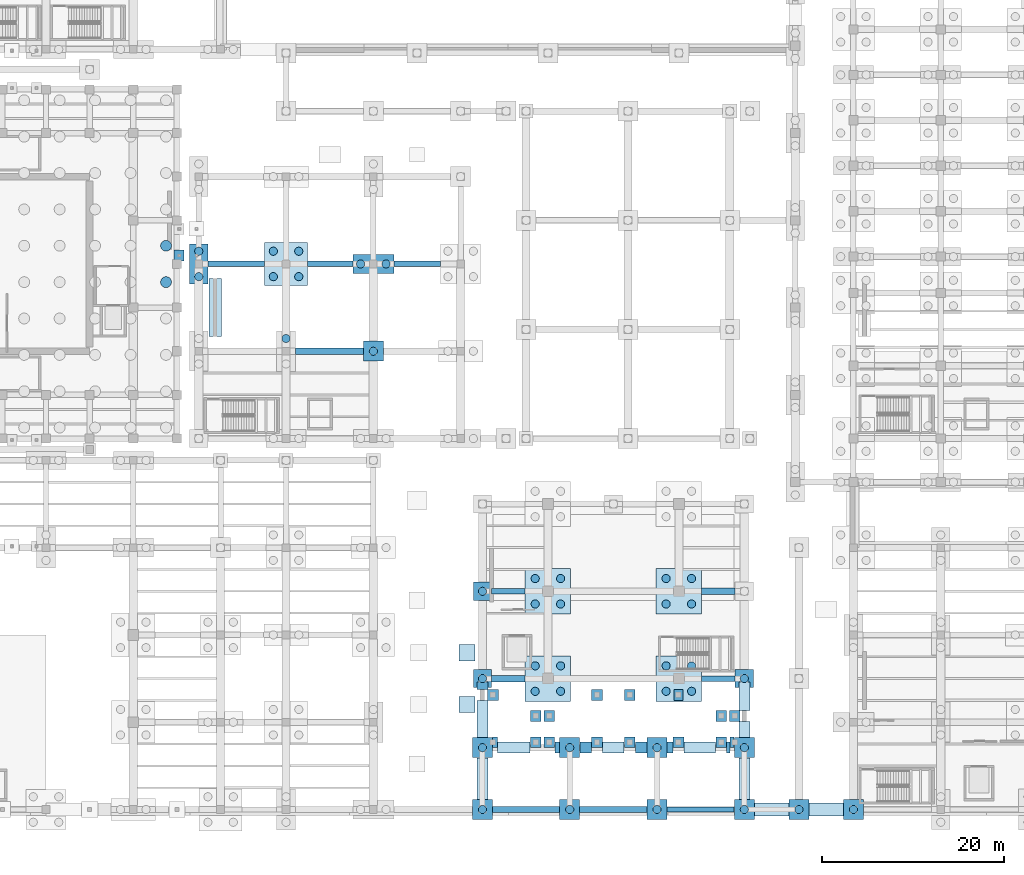
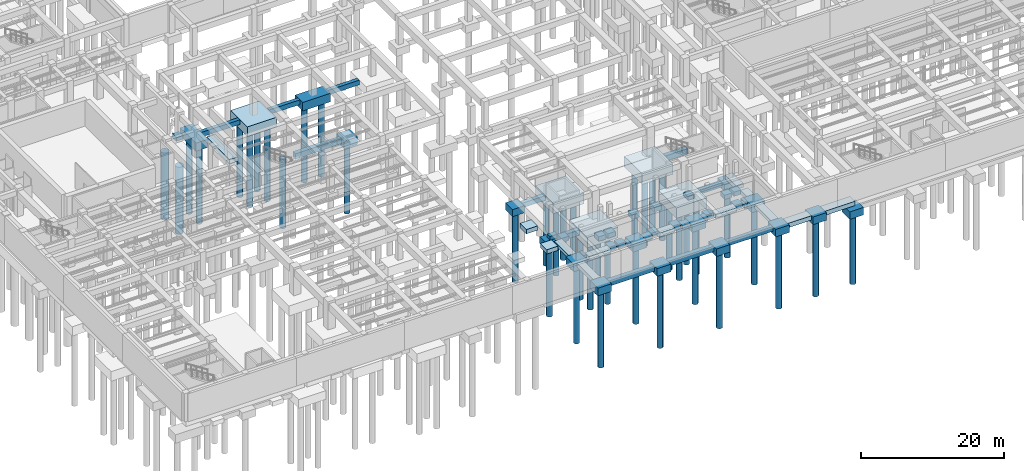
# One storey, part 3 of 56: 68 footings, 41 piles.
"""IFC4 building model written with IfcOpenShell, lengths in metres."""

from ifc_helpers import new_model, si_unit, direction, frame, origin, origin_2d, place, context, subcontext, project, spatial, rectangle, circle, extrude, material, material_profile, profile_set, type_object, element, save


model = new_model("IFC4")

# Units and contexts
model_context = context("Model", 3, precision=1e-05, world=origin(), true_north=direction((0.0, 1.0)))
body_context = subcontext(model_context, "Body", "Model", "MODEL_VIEW")
ifc_project = project(units=[si_unit("LENGTHUNIT", "METRE"), si_unit("AREAUNIT", "SQUARE_METRE"), si_unit("VOLUMEUNIT", "CUBIC_METRE"), si_unit("PLANEANGLEUNIT", "RADIAN"), si_unit("MASSUNIT", "GRAM", prefix="KILO")], contexts=[model_context])

# Site, building, storey
site_placement = place(None, origin())
site = spatial("IfcSite", under=ifc_project, at=site_placement, CompositionType="ELEMENT")
building_placement = place(site_placement, origin())
building = spatial("IfcBuilding", under=site, at=building_placement, Name="Mavantir Sound Aquarium", CompositionType="ELEMENT")
storey_placement = place(building_placement, frame((0.0, 0.0, -9.60009765625)))
storey = spatial("IfcBuildingStorey", under=building, at=storey_placement, Name="B2", CompositionType="ELEMENT", Elevation=-9.60009765625)

# Footings
ifc_material = material(Name="Concrete C40/50", Category="concrete")
ifc_material_profile_1 = material_profile(ifc_material, rectangle(XDim=0.60009765625, YDim=0.800048828125, at=origin_2d()), Name="RC 600X800")
ifc_profile_set_1 = profile_set([ifc_material_profile_1], Name="Concrete C40/50")
footing_type_1 = type_object("IfcFootingType", Name="FB-01", PredefinedType="FOOTING_BEAM", material=ifc_profile_set_1)
footing_1_placement = place(storey_placement, frame((37.008056640625, 60.0, -0.39990234375), z_axis=(1.0, 0.0, 0.0), x_axis=(0.0, 1.0, 0.0)))
element("IfcFooting", 1, at=footing_1_placement, inside=storey, type_object=footing_type_1, Name="Foundation tie beam FB-01 35", PredefinedType="FOOTING_BEAM", context=body_context, shape_type="SweptSolid", body=[
    extrude(rectangle(XDim=0.60009765625, YDim=0.800048828125, at=origin_2d()), origin(), (0.0, 0.0, 1.0), 6.23388671875),
])
footing_2_placement = place(storey_placement, frame((47.9580078125, 60.0, -0.39990234375), z_axis=(1.0, 0.0, 0.0), x_axis=(0.0, 1.0, 0.0)))
element("IfcFooting", 2, at=footing_2_placement, inside=storey, type_object=footing_type_1, Name="Foundation tie beam FB-01 49", PredefinedType="FOOTING_BEAM", context=body_context, shape_type="SweptSolid", body=[
    extrude(rectangle(XDim=0.60009765625, YDim=0.800048828125, at=origin_2d()), origin(), (0.0, 0.0, 1.0), 4.98388671875),
])
footing_3_placement = place(storey_placement, frame((57.4580078125, 60.0, -0.39990234375), z_axis=(1.0, 0.0, 0.0), x_axis=(0.0, 1.0, 0.0)))
element("IfcFooting", 3, at=footing_3_placement, inside=storey, type_object=footing_type_1, Name="Foundation tie beam FB-01 53", PredefinedType="FOOTING_BEAM", context=body_context, shape_type="SweptSolid", body=[
    extrude(rectangle(XDim=0.60009765625, YDim=0.800048828125, at=origin_2d()), origin(), (0.0, 0.0, 1.0), 5.134033203125),
])
footing_4_placement = place(storey_placement, frame((68.2080078125, 24.0, -1.599853515625), z_axis=(1.0, 0.0, 0.0), x_axis=(0.0, 1.0, 0.0)))
element("IfcFooting", 4, at=footing_4_placement, inside=storey, type_object=footing_type_1, Name="Foundation tie beam FB-01 61", PredefinedType="FOOTING_BEAM", context=body_context, shape_type="SweptSolid", body=[
    extrude(rectangle(XDim=0.60009765625, YDim=0.800048828125, at=origin_2d()), origin(), (0.0, 0.0, 1.0), 3.68408203125),
])
footing_5_placement = place(storey_placement, frame((87.508056640625, 0.0, -0.39990234375), z_axis=(1.0, 0.0, 0.0), x_axis=(0.0, 1.0, 0.0)))
element("IfcFooting", 5, at=footing_5_placement, inside=storey, type_object=footing_type_1, Name="Foundation tie beam FB-01 75", PredefinedType="FOOTING_BEAM", context=body_context, shape_type="SweptSolid", body=[
    extrude(rectangle(XDim=0.60009765625, YDim=0.800048828125, at=origin_2d()), origin(), (0.0, 0.0, 1.0), 7.384033203125),
])
footing_6_placement = place(storey_placement, frame((91.30810546875, 14.39990234375, -1.599853515625), z_axis=(1.0, 0.0, 0.0), x_axis=(0.0, 1.0, 0.0)))
element("IfcFooting", 6, at=footing_6_placement, inside=storey, type_object=footing_type_1, Name="Foundation tie beam FB-01 77", PredefinedType="FOOTING_BEAM", context=body_context, shape_type="SweptSolid", body=[
    extrude(rectangle(XDim=0.60009765625, YDim=0.800048828125, at=origin_2d()), origin(), (0.0, 0.0, 1.0), 3.683837890625),
])
ifc_material_profile_2 = material_profile(ifc_material, rectangle(XDim=0.699951171875, YDim=0.89990234375, at=origin_2d()), Name="RC 700X900")
ifc_profile_set_2 = profile_set([ifc_material_profile_2], Name="Concrete C40/50")
footing_type_2 = type_object("IfcFootingType", Name="FB-02", PredefinedType="FOOTING_BEAM", material=ifc_profile_set_2)
footing_7_placement = place(storey_placement, frame((46.657958984375, 50.39990234375, -1.64990234375), z_axis=(1.0, 0.0, 0.0), x_axis=(0.0, 1.0, 0.0)))
element("IfcFooting", 7, at=footing_7_placement, inside=storey, type_object=footing_type_2, Name="Foundation tie beam FB-02 48", PredefinedType="FOOTING_BEAM", context=body_context, shape_type="SweptSolid", body=[
    extrude(rectangle(XDim=0.699951171875, YDim=0.89990234375, at=origin_2d()), origin(), (0.0, 0.0, 1.0), 7.43408203125),
])
footing_8_placement = place(storey_placement, frame((68.30810546875, 0.0, -0.449951171875), z_axis=(1.0, 0.0, 0.0), x_axis=(0.0, 1.0, 0.0)))
element("IfcFooting", 8, at=footing_8_placement, inside=storey, type_object=footing_type_2, Name="Foundation tie beam FB-02 58", PredefinedType="FOOTING_BEAM", context=body_context, shape_type="SweptSolid", body=[
    extrude(rectangle(XDim=0.699951171875, YDim=0.89990234375, at=origin_2d()), origin(), (0.0, 0.0, 1.0), 7.3837890625),
])
footing_9_placement = place(storey_placement, frame((68.2080078125, 14.39990234375, -1.64990234375), z_axis=(1.0, 0.0, 0.0), x_axis=(0.0, 1.0, 0.0)))
element("IfcFooting", 9, at=footing_9_placement, inside=storey, type_object=footing_type_2, Name="Foundation tie beam FB-02 60", PredefinedType="FOOTING_BEAM", context=body_context, shape_type="SweptSolid", body=[
    extrude(rectangle(XDim=0.699951171875, YDim=0.89990234375, at=origin_2d()), origin(), (0.0, 0.0, 1.0), 3.68408203125),
])
footing_10_placement = place(storey_placement, frame((77.89990234375, 0.0, -0.449951171875), z_axis=(1.0, 0.0, 0.0), x_axis=(0.0, 1.0, 0.0)))
element("IfcFooting", 10, at=footing_10_placement, inside=storey, type_object=footing_type_2, Name="Foundation tie beam FB-02 68", PredefinedType="FOOTING_BEAM", context=body_context, shape_type="SweptSolid", body=[
    extrude(rectangle(XDim=0.699951171875, YDim=0.89990234375, at=origin_2d()), origin(), (0.0, 0.0, 1.0), 7.400146484375),
])
footing_11_placement = place(storey_placement, frame((91.30810546875, 24.0, -1.64990234375), z_axis=(1.0, 0.0, 0.0), x_axis=(0.0, 1.0, 0.0)))
element("IfcFooting", 11, at=footing_11_placement, inside=storey, type_object=footing_type_2, Name="Foundation tie beam FB-02 78", PredefinedType="FOOTING_BEAM", context=body_context, shape_type="SweptSolid", body=[
    extrude(rectangle(XDim=0.699951171875, YDim=0.89990234375, at=origin_2d()), origin(), (0.0, 0.0, 1.0), 3.683837890625),
])
footing_type_3 = type_object("IfcFootingType", Name="FDN-PAD-ST", PredefinedType="PAD_FOOTING", material=ifc_material)
for number, where, z_axis, x_axis, name in (
    (12, (68.35009765625, 12.60009765625, -0.75), (0.0, 0.0, 1.0), (1.0, 0.0, 0.0), "Forecourt cascade ST13 pier pad footing 2"),
    (13, (79.800048828125, 7.39990234375, -0.75), (0.0, 0.0, 1.0), (1.0, 0.0, 0.0), "Forecourt cascade ST13 pier pad footing 3"),
    (14, (79.800048828125, 12.60009765625, -0.75), (0.0, 0.0, 1.0), (1.0, 0.0, 0.0), "Forecourt cascade ST13 pier pad footing 4"),
    (15, (73.06005859375, 7.39990234375, -0.75), (0.0, 0.0, 1.0), (1.0, 0.0, 0.0), "Forecourt cascade ST13 pier pad footing 5"),
    (16, (73.06005859375, 10.300048828125, -0.75), (0.0, 0.0, 1.0), (1.0, 0.0, 0.0), "Forecourt cascade ST13 pier pad footing 6"),
    (17, (74.550048828125, 7.39990234375, -0.75), (0.0, 0.0, 1.0), (1.0, 0.0, 0.0), "Forecourt cascade ST13 pier pad footing 7"),
    (18, (74.550048828125, 10.300048828125, -0.75), (0.0, 0.0, 1.0), (1.0, 0.0, 0.0), "Forecourt cascade ST13 pier pad footing 8"),
    (19, (88.75, 7.39990234375, -0.75), (0.0, 0.0, 1.0), (1.0, 0.0, 0.0), "Forecourt cascade ST14 pier pad footing 1"),
    (20, (83.39990234375, 7.39990234375, -0.75), (0.0, 0.0, 1.0), (1.0, 0.0, 0.0), "Forecourt cascade ST14 pier pad footing 3"),
    (21, (83.39990234375, 12.60009765625, -0.75), (0.0, 0.0, 1.0), (1.0, 0.0, 0.0), "Forecourt cascade ST14 pier pad footing 4"),
    (22, (93.4599609375, 7.39990234375, -0.75), (0.0, 0.0, 1.0), (1.0, 0.0, 0.0), "Forecourt cascade ST14 pier pad footing 5"),
    (23, (93.4599609375, 10.300048828125, -0.75), (0.0, 0.0, 1.0), (1.0, 0.0, 0.0), "Forecourt cascade ST14 pier pad footing 6"),
    (24, (94.949951171875, 10.300048828125, -0.75), (0.0, 0.0, 1.0), (1.0, 0.0, 0.0), "Forecourt cascade ST14 pier pad footing 8"),
):
    element("IfcFooting", number, at=place(storey_placement, frame(where, z_axis=z_axis, x_axis=x_axis)), inside=storey, type_object=footing_type_3, Name=name, PredefinedType="PAD_FOOTING", context=body_context, shape_type="SweptSolid", body=[
        extrude(rectangle(XDim=1.199951171875, YDim=1.199951171875, at=origin_2d()), origin(), (0.0, 0.0, 1.0), 0.75),
    ])
footing_type_4 = type_object("IfcFootingType", Name="PC-04", PredefinedType="PILE_CAP", material=ifc_material)
footing_12_placement = place(storey_placement, frame((36.0, 60.0, -1.39990234375), z_axis=(0.0, 0.0, 1.0), x_axis=(1.0, 0.0, 0.0)))
element("IfcFooting", 25, at=footing_12_placement, inside=storey, type_object=footing_type_4, Name="Pile cap PC-04 3", PredefinedType="PILE_CAP", context=body_context, shape_type="SweptSolid", body=[
    extrude(rectangle(XDim=2.0, YDim=4.39990234375, at=origin_2d()), origin(), (0.0, 0.0, 1.0), 1.39990234375),
])
footing_type_5 = type_object("IfcFootingType", Name="PC-06", PredefinedType="PILE_CAP", material=ifc_material)
for number, where, z_axis, x_axis, name in (
    (26, (74.39990234375, 14.39990234375, -3.0), (0.0, 0.0, 1.0), (1.0, 0.0, 0.0), "Pile cap PC-06 193"),
    (27, (74.39990234375, 24.0, -3.0), (0.0, 0.0, 1.0), (1.0, 0.0, 0.0), "Pile cap PC-06 194"),
    (28, (88.800048828125, 14.39990234375, -3.0), (0.0, 0.0, 1.0), (1.0, 0.0, 0.0), "Pile cap PC-06 197"),
    (29, (88.800048828125, 24.0, -3.0), (0.0, 0.0, 1.0), (1.0, 0.0, 0.0), "Pile cap PC-06 198"),
):
    element("IfcFooting", number, at=place(storey_placement, frame(where, z_axis=z_axis, x_axis=x_axis)), inside=storey, type_object=footing_type_5, Name=name, PredefinedType="PILE_CAP", context=body_context, shape_type="SweptSolid", body=[
        extrude(rectangle(XDim=5.0, YDim=5.0, at=origin_2d()), origin(), (0.0, 0.0, 1.0), 1.800048828125),
    ])
footing_type_6 = type_object("IfcFootingType", Name="PC-07", PredefinedType="PILE_CAP", material=ifc_material)
for number, where, z_axis, x_axis, name in (
    (30, (67.199951171875, 14.39990234375, -2.39990234375), (0.0, 0.0, 1.0), (1.0, 0.0, 0.0), "Pile cap PC-07 190"),
    (31, (67.199951171875, 24.0, -2.39990234375), (0.0, 0.0, 1.0), (1.0, 0.0, 0.0), "Pile cap PC-07 191"),
    (32, (96.0, 14.39990234375, -2.39990234375), (0.0, 0.0, 1.0), (1.0, 0.0, 0.0), "Pile cap PC-07 200"),
):
    element("IfcFooting", number, at=place(storey_placement, frame(where, z_axis=z_axis, x_axis=x_axis)), inside=storey, type_object=footing_type_6, Name=name, PredefinedType="PILE_CAP", context=body_context, shape_type="SweptSolid", body=[
        extrude(rectangle(XDim=2.0, YDim=2.0, at=origin_2d()), origin(), (0.0, 0.0, 1.0), 1.199951171875),
    ])
footing_type_7 = type_object("IfcFootingType", Name="PC-08", PredefinedType="PILE_CAP", material=ifc_material)
for number, where, z_axis, x_axis, name in (
    (33, (55.199951171875, 50.39990234375, -2.5), (0.0, 0.0, 1.0), (1.0, 0.0, 0.0), "Pile cap PC-08 10"),
    (34, (108.0, 0.0, -2.5), (0.0, 0.0, 1.0), (1.0, 0.0, 0.0), "Pile cap PC-08 158"),
    (35, (67.199951171875, 0.0, -1.2998046875), (0.0, 0.0, 1.0), (1.0, 0.0, 0.0), "Pile cap PC-08 203"),
    (36, (76.800048828125, 0.0, -1.2998046875), (0.0, 0.0, 1.0), (1.0, 0.0, 0.0), "Pile cap PC-08 204"),
    (37, (86.39990234375, 0.0, -1.2998046875), (0.0, 0.0, 1.0), (1.0, 0.0, 0.0), "Pile cap PC-08 205"),
    (38, (96.0, 0.0, -1.2998046875), (0.0, 0.0, 1.0), (1.0, 0.0, 0.0), "Pile cap PC-08 206"),
    (39, (67.199951171875, 6.800048828125, -1.2998046875), (0.0, 0.0, 1.0), (1.0, 0.0, 0.0), "Pile cap PC-08 207"),
    (40, (76.800048828125, 6.800048828125, -1.2998046875), (0.0, 0.0, 1.0), (1.0, 0.0, 0.0), "Pile cap PC-08 208"),
    (41, (86.39990234375, 6.800048828125, -1.2998046875), (0.0, 0.0, 1.0), (1.0, 0.0, 0.0), "Pile cap PC-08 209"),
    (42, (96.0, 6.800048828125, -1.2998046875), (0.0, 0.0, 1.0), (1.0, 0.0, 0.0), "Pile cap PC-08 210"),
    (43, (102.0, 0.0, -1.2998046875), (0.0, 0.0, 1.0), (1.0, 0.0, 0.0), "Pile cap PC-08 211"),
):
    element("IfcFooting", number, at=place(storey_placement, frame(where, z_axis=z_axis, x_axis=x_axis)), inside=storey, type_object=footing_type_7, Name=name, PredefinedType="PILE_CAP", context=body_context, shape_type="SweptSolid", body=[
        extrude(rectangle(XDim=2.199951171875, YDim=2.199951171875, at=origin_2d()), origin(), (0.0, 0.0, 1.0), 1.300048828125),
    ])
footing_type_8 = type_object("IfcFootingType", Name="PC-09", PredefinedType="PILE_CAP", material=ifc_material)
footing_13_placement = place(storey_placement, frame((55.199951171875, 60.0, -1.44970703125), z_axis=(0.0, 0.0, 1.0), x_axis=(1.0, 0.0, 0.0)))
element("IfcFooting", 44, at=footing_13_placement, inside=storey, type_object=footing_type_8, Name="Pile cap PC-09 11", PredefinedType="PILE_CAP", context=body_context, shape_type="SweptSolid", body=[
    extrude(rectangle(XDim=4.5, YDim=2.10009765625, at=origin_2d()), origin(), (0.0, 0.0, 1.0), 1.449951171875),
])
footing_type_9 = type_object("IfcFootingType", Name="PC-11", PredefinedType="PILE_CAP", material=ifc_material)
footing_14_placement = place(storey_placement, frame((45.60009765625, 60.0, -1.64990234375), z_axis=(0.0, 0.0, 1.0), x_axis=(1.0, 0.0, 0.0)))
element("IfcFooting", 45, at=footing_14_placement, inside=storey, type_object=footing_type_9, Name="Pile cap PC-11 7", PredefinedType="PILE_CAP", context=body_context, shape_type="SweptSolid", body=[
    extrude(rectangle(XDim=4.699951171875, YDim=4.699951171875, at=origin_2d()), origin(), (0.0, 0.0, 1.0), 1.64990234375),
])
footing_type_10 = type_object("IfcFootingType", Name="PF-01", PredefinedType="PAD_FOOTING", material=ifc_material)
for number, where, z_axis, x_axis, name in (
    (46, (65.5, 11.550048828125, -0.75), (0.0, 0.0, 1.0), (1.0, 0.0, 0.0), "Vehicle ramp pier footing 4"),
    (47, (65.5, 17.25, -0.75), (0.0, 0.0, 1.0), (1.0, 0.0, 0.0), "Vehicle ramp pier footing 4"),
):
    element("IfcFooting", number, at=place(storey_placement, frame(where, z_axis=z_axis, x_axis=x_axis)), inside=storey, type_object=footing_type_10, Name=name, PredefinedType="PAD_FOOTING", context=body_context, shape_type="SweptSolid", body=[
        extrude(rectangle(XDim=1.800048828125, YDim=1.800048828125, at=origin_2d()), origin(), (0.0, 0.0, 1.0), 0.75),
    ])

# Piles
ifc_material_profile_3 = material_profile(ifc_material, circle(Radius=0.60009765625, at=origin_2d()), Name="PILE D1200")
ifc_profile_set_3 = profile_set([ifc_material_profile_3], Name="Concrete C40/50")
pile_type_1 = type_object("IfcPileType", Name="PILE-D1200", PredefinedType="BORED", material=ifc_profile_set_3)
for number, where, z_axis, x_axis, name in (
    (48, (32.39990234375, 58.0, -2.89990234375), (0.0, 0.0, -1.0), (1.0, 0.0, 0.0), "Bored pile P-1200 85"),
    (49, (32.39990234375, 62.0, -2.89990234375), (0.0, 0.0, -1.0), (1.0, 0.0, 0.0), "Bored pile P-1200 86"),
):
    element("IfcPile", number, at=place(storey_placement, frame(where, z_axis=z_axis, x_axis=x_axis)), inside=storey, type_object=pile_type_1, Name=name, PredefinedType="BORED", context=body_context, shape_type="SweptSolid", body=[
        extrude(circle(Radius=0.60009765625, at=origin_2d()), origin(), (0.0, 0.0, 1.0), 11.5),
    ])
ifc_material_profile_4 = material_profile(ifc_material, circle(Radius=0.449951171875, at=origin_2d()), Name="PILE D900")
ifc_profile_set_4 = profile_set([ifc_material_profile_4], Name="Concrete C40/50")
pile_type_2 = type_object("IfcPileType", Name="PILE-D900", PredefinedType="BORED", material=ifc_profile_set_4)
for number, where, z_axis, x_axis, name in (
    (50, (36.0, 58.60009765625, -1.2998046875), (0.0, 0.0, -1.0), (1.0, 0.0, 0.0), "Bored pile P-900 94"),
    (51, (36.0, 61.39990234375, -1.2998046875), (0.0, 0.0, -1.0), (1.0, 0.0, 0.0), "Bored pile P-900 95"),
):
    element("IfcPile", number, at=place(storey_placement, frame(where, z_axis=z_axis, x_axis=x_axis)), inside=storey, type_object=pile_type_2, Name=name, PredefinedType="BORED", context=body_context, shape_type="SweptSolid", body=[
        extrude(circle(Radius=0.449951171875, at=origin_2d()), origin(), (0.0, 0.0, 1.0), 13.10009765625),
    ])
pile_1_placement = place(storey_placement, frame((45.60009765625, 51.800048828125, -2.5498046875), z_axis=(0.0, 0.0, -1.0), x_axis=(1.0, 0.0, 0.0)))
element("IfcPile", 52, at=pile_1_placement, inside=storey, type_object=pile_type_2, Name="Bored pile P-900 101", PredefinedType="BORED", context=body_context, shape_type="SweptSolid", body=[
    extrude(circle(Radius=0.449951171875, at=origin_2d()), origin(), (0.0, 0.0, 1.0), 11.85009765625),
])
for number, where, z_axis, x_axis, name in (
    (53, (44.199951171875, 58.60009765625, -1.5498046875), (0.0, 0.0, -1.0), (1.0, 0.0, 0.0), "Bored pile P-900 102"),
    (54, (47.0, 58.60009765625, -1.5498046875), (0.0, 0.0, -1.0), (1.0, 0.0, 0.0), "Bored pile P-900 103"),
    (55, (44.199951171875, 61.39990234375, -1.5498046875), (0.0, 0.0, -1.0), (1.0, 0.0, 0.0), "Bored pile P-900 104"),
    (56, (47.0, 61.39990234375, -1.5498046875), (0.0, 0.0, -1.0), (1.0, 0.0, 0.0), "Bored pile P-900 105"),
):
    element("IfcPile", number, at=place(storey_placement, frame(where, z_axis=z_axis, x_axis=x_axis)), inside=storey, type_object=pile_type_2, Name=name, PredefinedType="BORED", context=body_context, shape_type="SweptSolid", body=[
        extrude(circle(Radius=0.449951171875, at=origin_2d()), origin(), (0.0, 0.0, 1.0), 12.85009765625),
    ])
pile_2_placement = place(storey_placement, frame((55.199951171875, 50.39990234375, -2.39990234375), z_axis=(0.0, 0.0, -1.0), x_axis=(1.0, 0.0, 0.0)))
element("IfcPile", 57, at=pile_2_placement, inside=storey, type_object=pile_type_2, Name="Bored pile P-900 110", PredefinedType="BORED", context=body_context, shape_type="SweptSolid", body=[
    extrude(circle(Radius=0.449951171875, at=origin_2d()), origin(), (0.0, 0.0, 1.0), 12.0),
])
for number, where, z_axis, x_axis, name in (
    (58, (53.800048828125, 60.0, -1.349853515625), (0.0, 0.0, -1.0), (1.0, 0.0, 0.0), "Bored pile P-900 111"),
    (59, (56.60009765625, 60.0, -1.349853515625), (0.0, 0.0, -1.0), (1.0, 0.0, 0.0), "Bored pile P-900 112"),
):
    element("IfcPile", number, at=place(storey_placement, frame(where, z_axis=z_axis, x_axis=x_axis)), inside=storey, type_object=pile_type_2, Name=name, PredefinedType="BORED", context=body_context, shape_type="SweptSolid", body=[
        extrude(circle(Radius=0.449951171875, at=origin_2d()), origin(), (0.0, 0.0, 1.0), 13.050048828125),
    ])
pile_3_placement = place(storey_placement, frame((108.0, 0.0, -2.39990234375), z_axis=(0.0, 0.0, -1.0), x_axis=(1.0, 0.0, 0.0)))
element("IfcPile", 60, at=pile_3_placement, inside=storey, type_object=pile_type_2, Name="Bored pile P-900 525", PredefinedType="BORED", context=body_context, shape_type="SweptSolid", body=[
    extrude(circle(Radius=0.449951171875, at=origin_2d()), origin(), (0.0, 0.0, 1.0), 12.0),
])
for number, where, z_axis, x_axis, name in (
    (61, (67.199951171875, 14.39990234375, -2.2998046875), (0.0, 0.0, -1.0), (1.0, 0.0, 0.0), "Bored pile P-900 596"),
    (62, (67.199951171875, 24.0, -2.2998046875), (0.0, 0.0, -1.0), (1.0, 0.0, 0.0), "Bored pile P-900 597"),
):
    element("IfcPile", number, at=place(storey_placement, frame(where, z_axis=z_axis, x_axis=x_axis)), inside=storey, type_object=pile_type_2, Name=name, PredefinedType="BORED", context=body_context, shape_type="SweptSolid", body=[
        extrude(circle(Radius=0.449951171875, at=origin_2d()), origin(), (0.0, 0.0, 1.0), 12.10009765625),
    ])
for number, where, z_axis, x_axis, name in (
    (63, (73.0, 13.0, -2.89990234375), (0.0, 0.0, -1.0), (1.0, 0.0, 0.0), "Bored pile P-900 599"),
    (64, (75.800048828125, 13.0, -2.89990234375), (0.0, 0.0, -1.0), (1.0, 0.0, 0.0), "Bored pile P-900 600"),
    (65, (73.0, 15.800048828125, -2.89990234375), (0.0, 0.0, -1.0), (1.0, 0.0, 0.0), "Bored pile P-900 601"),
    (66, (75.800048828125, 15.800048828125, -2.89990234375), (0.0, 0.0, -1.0), (1.0, 0.0, 0.0), "Bored pile P-900 602"),
    (67, (73.0, 22.60009765625, -2.89990234375), (0.0, 0.0, -1.0), (1.0, 0.0, 0.0), "Bored pile P-900 603"),
    (68, (75.800048828125, 22.60009765625, -2.89990234375), (0.0, 0.0, -1.0), (1.0, 0.0, 0.0), "Bored pile P-900 604"),
    (69, (73.0, 25.39990234375, -2.89990234375), (0.0, 0.0, -1.0), (1.0, 0.0, 0.0), "Bored pile P-900 605"),
    (70, (75.800048828125, 25.39990234375, -2.89990234375), (0.0, 0.0, -1.0), (1.0, 0.0, 0.0), "Bored pile P-900 606"),
    (71, (87.39990234375, 13.0, -2.89990234375), (0.0, 0.0, -1.0), (1.0, 0.0, 0.0), "Bored pile P-900 612"),
    (72, (90.199951171875, 13.0, -2.89990234375), (0.0, 0.0, -1.0), (1.0, 0.0, 0.0), "Bored pile P-900 613"),
    (73, (87.39990234375, 15.800048828125, -2.89990234375), (0.0, 0.0, -1.0), (1.0, 0.0, 0.0), "Bored pile P-900 614"),
    (74, (90.199951171875, 15.800048828125, -2.89990234375), (0.0, 0.0, -1.0), (1.0, 0.0, 0.0), "Bored pile P-900 615"),
    (75, (87.39990234375, 22.60009765625, -2.89990234375), (0.0, 0.0, -1.0), (1.0, 0.0, 0.0), "Bored pile P-900 616"),
    (76, (90.199951171875, 22.60009765625, -2.89990234375), (0.0, 0.0, -1.0), (1.0, 0.0, 0.0), "Bored pile P-900 617"),
    (77, (87.39990234375, 25.39990234375, -2.89990234375), (0.0, 0.0, -1.0), (1.0, 0.0, 0.0), "Bored pile P-900 618"),
    (78, (90.199951171875, 25.39990234375, -2.89990234375), (0.0, 0.0, -1.0), (1.0, 0.0, 0.0), "Bored pile P-900 619"),
):
    element("IfcPile", number, at=place(storey_placement, frame(where, z_axis=z_axis, x_axis=x_axis)), inside=storey, type_object=pile_type_2, Name=name, PredefinedType="BORED", context=body_context, shape_type="SweptSolid", body=[
        extrude(circle(Radius=0.449951171875, at=origin_2d()), origin(), (0.0, 0.0, 1.0), 11.5),
    ])
pile_4_placement = place(storey_placement, frame((96.0, 14.39990234375, -2.2998046875), z_axis=(0.0, 0.0, -1.0), x_axis=(1.0, 0.0, 0.0)))
element("IfcPile", 79, at=pile_4_placement, inside=storey, type_object=pile_type_2, Name="Bored pile P-900 624", PredefinedType="BORED", context=body_context, shape_type="SweptSolid", body=[
    extrude(circle(Radius=0.449951171875, at=origin_2d()), origin(), (0.0, 0.0, 1.0), 12.10009765625),
])
for number, where, z_axis, x_axis, name in (
    (80, (67.199951171875, 0.0, -1.199951171875), (0.0, 0.0, -1.0), (1.0, 0.0, 0.0), "Bored pile P-900 627"),
    (81, (76.800048828125, 0.0, -1.199951171875), (0.0, 0.0, -1.0), (1.0, 0.0, 0.0), "Bored pile P-900 628"),
    (82, (86.39990234375, 0.0, -1.199951171875), (0.0, 0.0, -1.0), (1.0, 0.0, 0.0), "Bored pile P-900 629"),
    (83, (96.0, 0.0, -1.199951171875), (0.0, 0.0, -1.0), (1.0, 0.0, 0.0), "Bored pile P-900 630"),
    (84, (67.199951171875, 6.800048828125, -1.199951171875), (0.0, 0.0, -1.0), (1.0, 0.0, 0.0), "Bored pile P-900 631"),
    (85, (76.800048828125, 6.800048828125, -1.199951171875), (0.0, 0.0, -1.0), (1.0, 0.0, 0.0), "Bored pile P-900 632"),
    (86, (86.39990234375, 6.800048828125, -1.199951171875), (0.0, 0.0, -1.0), (1.0, 0.0, 0.0), "Bored pile P-900 633"),
    (87, (96.0, 6.800048828125, -1.199951171875), (0.0, 0.0, -1.0), (1.0, 0.0, 0.0), "Bored pile P-900 634"),
    (88, (102.0, 0.0, -1.199951171875), (0.0, 0.0, -1.0), (1.0, 0.0, 0.0), "Bored pile P-900 635"),
):
    element("IfcPile", number, at=place(storey_placement, frame(where, z_axis=z_axis, x_axis=x_axis)), inside=storey, type_object=pile_type_2, Name=name, PredefinedType="BORED", context=body_context, shape_type="SweptSolid", body=[
        extrude(circle(Radius=0.449951171875, at=origin_2d()), origin(), (0.0, 0.0, 1.0), 13.199951171875),
    ])

# Footings
ifc_material_profile_5 = material_profile(ifc_material, rectangle(XDim=1.199951171875, YDim=0.64990234375, at=origin_2d()), Name="RC 1200X650")
ifc_profile_set_5 = profile_set([ifc_material_profile_5], Name="Concrete C40/50")
footing_type_11 = type_object("IfcFootingType", Name="SF-01", PredefinedType="STRIP_FOOTING", material=ifc_profile_set_5)
footing_15_placement = place(storey_placement, frame((33.300048828125, 60.949951171875, -0.324951171875), z_axis=(1.0, 0.0, 0.0), x_axis=(0.0, 1.0, 0.0)))
element("IfcFooting", 89, at=footing_15_placement, inside=storey, type_object=footing_type_11, Name="Bridge pier strip footing 1.1", PredefinedType="STRIP_FOOTING", context=body_context, shape_type="SweptSolid", body=[
    extrude(rectangle(XDim=1.199951171875, YDim=0.64990234375, at=origin_2d()), origin(), (0.0, 0.0, 1.0), 1.099853515625),
])
footing_16_placement = place(storey_placement, frame((68.30810546875, 7.39990234375, -0.324951171875), z_axis=(1.0, 0.0, 0.0), x_axis=(0.0, 1.0, 0.0)))
element("IfcFooting", 90, at=footing_16_placement, inside=storey, type_object=footing_type_11, Name="Forecourt cascade ST13 strip footing 1", PredefinedType="STRIP_FOOTING", context=body_context, shape_type="SweptSolid", body=[
    extrude(rectangle(XDim=1.199951171875, YDim=0.64990234375, at=origin_2d()), origin(), (0.0, 0.0, 1.0), 0.5419921875),
])
footing_17_placement = place(storey_placement, frame((88.25, 12.60009765625, -0.324951171875), z_axis=(1.0, 0.0, 0.0), x_axis=(0.0, 1.0, 0.0)))
element("IfcFooting", 91, at=footing_17_placement, inside=storey, type_object=footing_type_11, Name="Forecourt cascade ST14 strip footing 2", PredefinedType="STRIP_FOOTING", context=body_context, shape_type="SweptSolid", body=[
    extrude(rectangle(XDim=1.199951171875, YDim=0.64990234375, at=origin_2d()), origin(), (0.0, 0.0, 1.0), 1.0),
])
footing_18_placement = place(storey_placement, frame((94.449951171875, 7.39990234375, -0.324951171875), z_axis=(1.0, 0.0, 0.0), x_axis=(0.0, 1.0, 0.0)))
element("IfcFooting", 92, at=footing_18_placement, inside=storey, type_object=footing_type_11, Name="Forecourt cascade ST14 strip footing 7", PredefinedType="STRIP_FOOTING", context=body_context, shape_type="SweptSolid", body=[
    extrude(rectangle(XDim=1.199951171875, YDim=0.64990234375, at=origin_2d()), origin(), (0.0, 0.0, 1.0), 0.442138671875),
])
footing_19_placement = place(storey_placement, frame((67.199951171875, 1.10791015625, -0.324951171875), z_axis=(0.0, 1.0, 0.0), x_axis=(-1.0, 0.0, 0.0)))
element("IfcFooting", 93, at=footing_19_placement, inside=storey, type_object=footing_type_11, Name="Forecourt retaining strip footing 45.1", PredefinedType="STRIP_FOOTING", context=body_context, shape_type="SweptSolid", body=[
    extrude(rectangle(XDim=1.199951171875, YDim=0.64990234375, at=origin_2d()), origin(), (0.0, 0.0, 1.0), 4.583984375),
])
footing_20_placement = place(storey_placement, frame((67.199951171875, 7.907958984375, -0.324951171875), z_axis=(0.0, 1.0, 0.0), x_axis=(-1.0, 0.0, 0.0)))
element("IfcFooting", 94, at=footing_20_placement, inside=storey, type_object=footing_type_11, Name="Forecourt retaining strip footing 45.2", PredefinedType="STRIP_FOOTING", context=body_context, shape_type="SweptSolid", body=[
    extrude(rectangle(XDim=1.199951171875, YDim=0.64990234375, at=origin_2d()), origin(), (0.0, 0.0, 1.0), 4.083984375),
])
footing_21_placement = place(storey_placement, frame((67.199951171875, 13.2080078125, -0.324951171875), z_axis=(0.0, 1.0, 0.0), x_axis=(-1.0, 0.0, 0.0)))
element("IfcFooting", 95, at=footing_21_placement, inside=storey, type_object=footing_type_11, Name="Forecourt retaining strip footing 45.3", PredefinedType="STRIP_FOOTING", context=body_context, shape_type="SweptSolid", body=[
    extrude(rectangle(XDim=1.199951171875, YDim=0.64990234375, at=origin_2d()), origin(), (0.0, 0.0, 1.0), 0.7919921875),
])
footing_22_placement = place(storey_placement, frame((96.0, 1.10791015625, -0.324951171875), z_axis=(0.0, 1.0, 0.0), x_axis=(-1.0, 0.0, 0.0)))
element("IfcFooting", 96, at=footing_22_placement, inside=storey, type_object=footing_type_11, Name="Forecourt retaining strip footing 46.1", PredefinedType="STRIP_FOOTING", context=body_context, shape_type="SweptSolid", body=[
    extrude(rectangle(XDim=1.199951171875, YDim=0.64990234375, at=origin_2d()), origin(), (0.0, 0.0, 1.0), 4.583984375),
])
footing_23_placement = place(storey_placement, frame((96.0, 7.907958984375, -0.324951171875), z_axis=(0.0, 1.0, 0.0), x_axis=(-1.0, 0.0, 0.0)))
element("IfcFooting", 97, at=footing_23_placement, inside=storey, type_object=footing_type_11, Name="Forecourt retaining strip footing 46.2", PredefinedType="STRIP_FOOTING", context=body_context, shape_type="SweptSolid", body=[
    extrude(rectangle(XDim=1.199951171875, YDim=0.64990234375, at=origin_2d()), origin(), (0.0, 0.0, 1.0), 1.783935546875),
])
footing_24_placement = place(storey_placement, frame((96.0, 10.907958984375, -0.324951171875), z_axis=(0.0, 1.0, 0.0), x_axis=(-1.0, 0.0, 0.0)))
element("IfcFooting", 98, at=footing_24_placement, inside=storey, type_object=footing_type_11, Name="Forecourt retaining strip footing 46.3", PredefinedType="STRIP_FOOTING", context=body_context, shape_type="SweptSolid", body=[
    extrude(rectangle(XDim=1.199951171875, YDim=0.64990234375, at=origin_2d()), origin(), (0.0, 0.0, 1.0), 3.092041015625),
])
footing_25_placement = place(storey_placement, frame((68.85791015625, 6.800048828125, -0.324951171875), z_axis=(1.0, 0.0, 0.0), x_axis=(0.0, 1.0, 0.0)))
element("IfcFooting", 99, at=footing_25_placement, inside=storey, type_object=footing_type_11, Name="Forecourt retaining strip footing 47.1", PredefinedType="STRIP_FOOTING", context=body_context, shape_type="SweptSolid", body=[
    extrude(rectangle(XDim=1.199951171875, YDim=0.64990234375, at=origin_2d()), origin(), (0.0, 0.0, 1.0), 3.593994140625),
])
footing_26_placement = place(storey_placement, frame((75.157958984375, 6.800048828125, -0.324951171875), z_axis=(1.0, 0.0, 0.0), x_axis=(0.0, 1.0, 0.0)))
element("IfcFooting", 100, at=footing_26_placement, inside=storey, type_object=footing_type_11, Name="Forecourt retaining strip footing 47.2", PredefinedType="STRIP_FOOTING", context=body_context, shape_type="SweptSolid", body=[
    extrude(rectangle(XDim=1.199951171875, YDim=0.64990234375, at=origin_2d()), origin(), (0.0, 0.0, 1.0), 0.533935546875),
])
footing_27_placement = place(storey_placement, frame((77.907958984375, 6.800048828125, -0.324951171875), z_axis=(1.0, 0.0, 0.0), x_axis=(0.0, 1.0, 0.0)))
element("IfcFooting", 101, at=footing_27_placement, inside=storey, type_object=footing_type_11, Name="Forecourt retaining strip footing 47.3", PredefinedType="STRIP_FOOTING", context=body_context, shape_type="SweptSolid", body=[
    extrude(rectangle(XDim=1.199951171875, YDim=0.64990234375, at=origin_2d()), origin(), (0.0, 0.0, 1.0), 1.283935546875),
])
footing_28_placement = place(storey_placement, frame((80.407958984375, 6.800048828125, -0.324951171875), z_axis=(1.0, 0.0, 0.0), x_axis=(0.0, 1.0, 0.0)))
element("IfcFooting", 102, at=footing_28_placement, inside=storey, type_object=footing_type_11, Name="Forecourt retaining strip footing 47.4", PredefinedType="STRIP_FOOTING", context=body_context, shape_type="SweptSolid", body=[
    extrude(rectangle(XDim=1.199951171875, YDim=0.64990234375, at=origin_2d()), origin(), (0.0, 0.0, 1.0), 2.384033203125),
])
footing_29_placement = place(storey_placement, frame((84.008056640625, 6.800048828125, -0.324951171875), z_axis=(1.0, 0.0, 0.0), x_axis=(0.0, 1.0, 0.0)))
element("IfcFooting", 103, at=footing_29_placement, inside=storey, type_object=footing_type_11, Name="Forecourt retaining strip footing 47.5", PredefinedType="STRIP_FOOTING", context=body_context, shape_type="SweptSolid", body=[
    extrude(rectangle(XDim=1.199951171875, YDim=0.64990234375, at=origin_2d()), origin(), (0.0, 0.0, 1.0), 1.283935546875),
])
footing_30_placement = place(storey_placement, frame((87.508056640625, 6.800048828125, -0.324951171875), z_axis=(1.0, 0.0, 0.0), x_axis=(0.0, 1.0, 0.0)))
element("IfcFooting", 104, at=footing_30_placement, inside=storey, type_object=footing_type_11, Name="Forecourt retaining strip footing 47.6", PredefinedType="STRIP_FOOTING", context=body_context, shape_type="SweptSolid", body=[
    extrude(rectangle(XDim=1.199951171875, YDim=0.64990234375, at=origin_2d()), origin(), (0.0, 0.0, 1.0), 0.634033203125),
])
footing_31_placement = place(storey_placement, frame((89.35791015625, 6.800048828125, -0.324951171875), z_axis=(1.0, 0.0, 0.0), x_axis=(0.0, 1.0, 0.0)))
element("IfcFooting", 105, at=footing_31_placement, inside=storey, type_object=footing_type_11, Name="Forecourt retaining strip footing 47.7", PredefinedType="STRIP_FOOTING", context=body_context, shape_type="SweptSolid", body=[
    extrude(rectangle(XDim=1.199951171875, YDim=0.64990234375, at=origin_2d()), origin(), (0.0, 0.0, 1.0), 3.494140625),
])
footing_32_placement = place(storey_placement, frame((94.068115234375, 6.800048828125, -0.324951171875), z_axis=(1.0, 0.0, 0.0), x_axis=(0.0, 1.0, 0.0)))
element("IfcFooting", 106, at=footing_32_placement, inside=storey, type_object=footing_type_11, Name="Forecourt retaining strip footing 47.8", PredefinedType="STRIP_FOOTING", context=body_context, shape_type="SweptSolid", body=[
    extrude(rectangle(XDim=1.199951171875, YDim=0.64990234375, at=origin_2d()), origin(), (0.0, 0.0, 1.0), 0.373779296875),
])
ifc_material_profile_6 = material_profile(ifc_material, rectangle(XDim=1.39990234375, YDim=0.75, at=origin_2d()), Name="RC 1400X750")
ifc_profile_set_6 = profile_set([ifc_material_profile_6], Name="Concrete C40/50")
footing_type_12 = type_object("IfcFootingType", Name="SF-02", PredefinedType="STRIP_FOOTING", material=ifc_profile_set_6)
footing_33_placement = place(storey_placement, frame((108.0, 0.0, -0.375), z_axis=(-1.0, 0.0, 0.0), x_axis=(0.0, -1.0, 0.0)))
element("IfcFooting", 107, at=footing_33_placement, inside=storey, type_object=footing_type_12, Name="Perimeter retaining wall strip footing 41", PredefinedType="STRIP_FOOTING", context=body_context, shape_type="SweptSolid", body=[
    extrude(rectangle(XDim=1.39990234375, YDim=0.75, at=origin_2d()), origin(), (0.0, 0.0, 1.0), 4.89208984375),
])
footing_34_placement = place(storey_placement, frame((100.89208984375, 0.0, -0.375), z_axis=(-1.0, 0.0, 0.0), x_axis=(0.0, -1.0, 0.0)))
element("IfcFooting", 108, at=footing_34_placement, inside=storey, type_object=footing_type_12, Name="Perimeter retaining wall strip footing 42", PredefinedType="STRIP_FOOTING", context=body_context, shape_type="SweptSolid", body=[
    extrude(rectangle(XDim=1.39990234375, YDim=0.75, at=origin_2d()), origin(), (0.0, 0.0, 1.0), 3.7841796875),
])
footing_35_placement = place(storey_placement, frame((37.800048828125, 52.0, -0.375), z_axis=(0.0, 1.0, 0.0), x_axis=(-1.0, 0.0, 0.0)))
element("IfcFooting", 109, at=footing_35_placement, inside=storey, type_object=footing_type_12, Name="Shear wall strip footing 48", PredefinedType="STRIP_FOOTING", context=body_context, shape_type="SweptSolid", body=[
    extrude(rectangle(XDim=1.39990234375, YDim=0.75, at=origin_2d()), origin(), (0.0, 0.0, 1.0), 6.39990234375),
])

save(model, "model.ifc")
